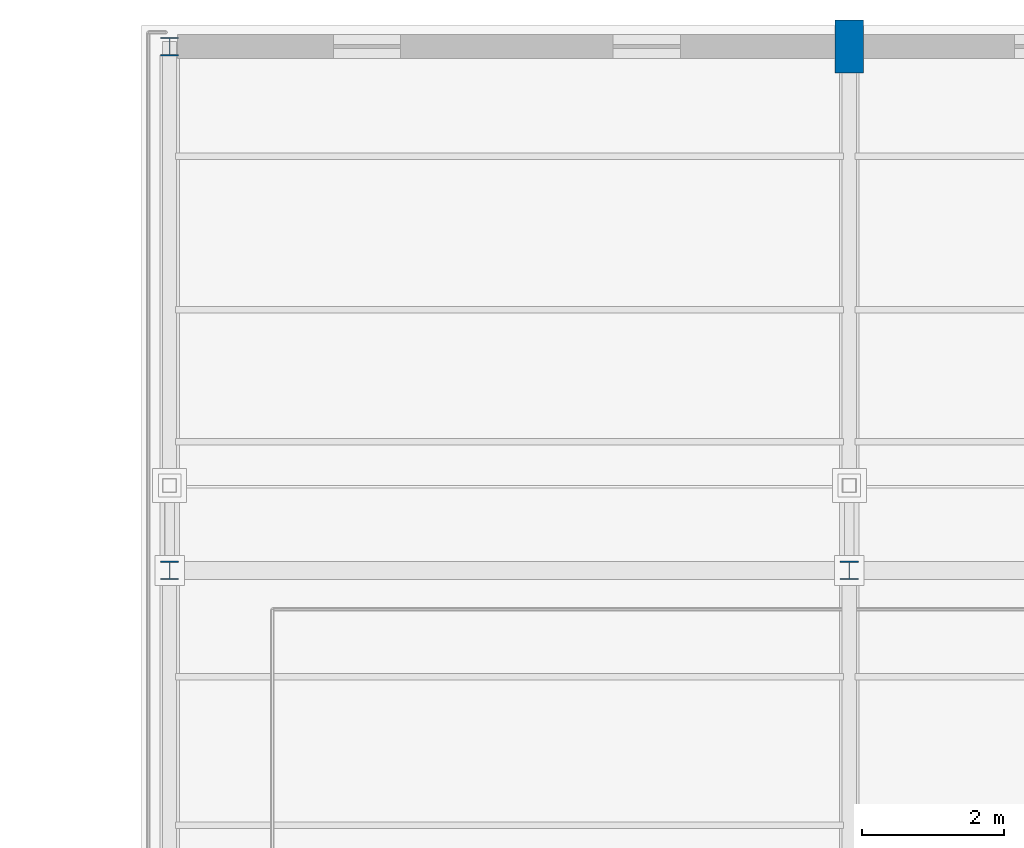
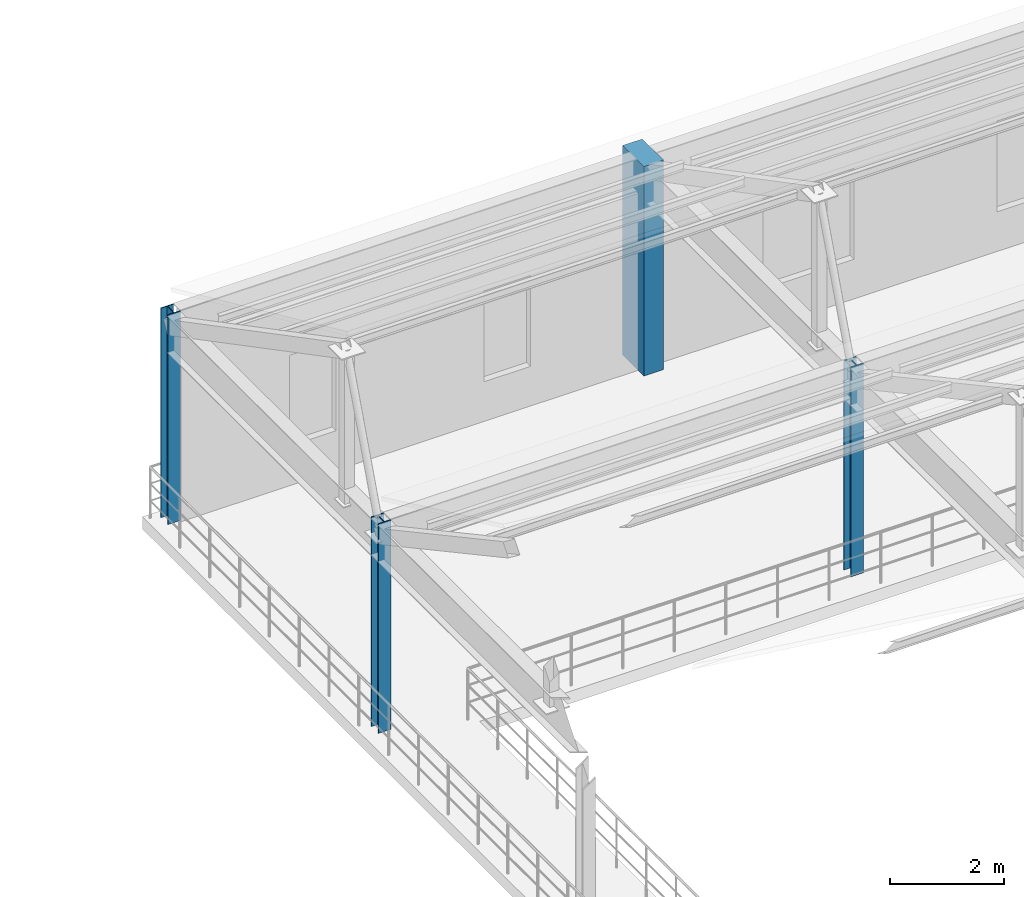
# One storey, part 16 of 112: 4 columns.
"""IFC4 building model written with IfcOpenShell, lengths in metres."""

import ifcopenshell
import ifcopenshell.guid

model = None  # the IFC model being written
_history = None  # IfcOwnerHistory: only IFC2X3 demands one
_inside = {}  # id of a spatial element -> (the spatial element, [elements in it])
_under = {}  # id of a project, library or spatial element -> (it, [spatial elements below it])
_declared = {}  # id of a project -> (the project, [libraries it declares])
_typed = {}  # id of a type object -> (the type object, [elements of that type])
_made_of = {}  # id of a material, layer set ... -> (it, [elements and type objects made of it])


def new_model(schema):
    """Start an empty IFC model of exactly this schema.

    Asked for "IFC4X3", IfcOpenShell would pick the latest addendum, in which some entities
    have other attributes; the version numbers below select the first issue.
    IFC2X3 requires an IfcOwnerHistory on every rooted entity: one is made here for all.
    """
    global model, _history
    if schema == "IFC4X3":
        model = ifcopenshell.file(schema_version=(4, 3, 0, 0))
    else:
        model = ifcopenshell.file(schema=schema)
    _inside.clear()
    _under.clear()
    _declared.clear()
    _typed.clear()
    _made_of.clear()
    _history = None
    if model.schema == "IFC2X3":
        org = make("IfcOrganization", Name="unknown")
        user = make(
            "IfcPersonAndOrganization",
            ThePerson=make("IfcPerson", FamilyName="unknown"),
            TheOrganization=org,
        )
        app = make(
            "IfcApplication",
            ApplicationDeveloper=org,
            Version="unknown",
            ApplicationFullName="unknown",
            ApplicationIdentifier="unknown",
        )
        _history = make(
            "IfcOwnerHistory",
            OwningUser=user,
            OwningApplication=app,
            ChangeAction="ADDED",
            CreationDate=0,
        )
    return model


def make(cls, **values):
    """One entity of the class cls with the attributes given. An attribute that is None is left unset."""
    return model.create_entity(
        cls, **{name: value for name, value in values.items() if value is not None}
    )


def rooted(cls, **values):
    """An entity with a GlobalId (a new one), such as an element, a storey or a relation."""
    return make(cls, GlobalId=ifcopenshell.guid.new(), OwnerHistory=_history, **values)


def si_unit(unit_type, name, prefix=None):
    """IfcSIUnit, for example si_unit("LENGTHUNIT", "METRE", prefix="MILLI")."""
    return make("IfcSIUnit", UnitType=unit_type, Prefix=prefix, Name=name)


def assignment(units):
    """IfcUnitAssignment: the units of a project."""
    return None if units is None else make("IfcUnitAssignment", Units=units)


def point(xyz):
    """IfcCartesianPoint."""
    return None if xyz is None else make("IfcCartesianPoint", Coordinates=xyz)


def direction(xyz):
    """IfcDirection."""
    return None if xyz is None else make("IfcDirection", DirectionRatios=xyz)


def frame(location, z_axis=None, x_axis=None):
    """IfcAxis2Placement3D, a coordinate frame: its origin and axes. An axis left out is left unset."""
    return make(
        "IfcAxis2Placement3D",
        Location=point(location),
        Axis=direction(z_axis),
        RefDirection=direction(x_axis),
    )


def frame_2d(location, x_axis=None):
    """IfcAxis2Placement2D, a coordinate frame in the plane: its origin and x axis."""
    return make(
        "IfcAxis2Placement2D", Location=point(location), RefDirection=direction(x_axis)
    )


def origin():
    """The frame at (0, 0, 0) with its axes left unset."""
    return frame((0.0, 0.0, 0.0))


def origin_2d():
    """The frame at (0, 0) in the plane with its x axis left unset."""
    return frame_2d((0.0, 0.0))


def place(relative_to, where):
    """IfcLocalPlacement: puts the frame where relative to a parent placement (None: the world)."""
    return make(
        "IfcLocalPlacement", PlacementRelTo=relative_to, RelativePlacement=where
    )


def context(
    kind, dimensions, precision=None, world=None, true_north=None, identifier=None
):
    """IfcGeometricRepresentationContext, for example the 3D "Model" context."""
    return make(
        "IfcGeometricRepresentationContext",
        ContextIdentifier=identifier,
        ContextType=kind,
        CoordinateSpaceDimension=dimensions,
        Precision=precision,
        WorldCoordinateSystem=world,
        TrueNorth=true_north,
    )


def subcontext(parent, identifier, kind, view, scale=None):
    """IfcGeometricRepresentationSubContext, for example "Body" below "Model"."""
    return make(
        "IfcGeometricRepresentationSubContext",
        ContextIdentifier=identifier,
        ContextType=kind,
        ParentContext=parent,
        TargetScale=scale,
        TargetView=view,
    )


def project(units=None, contexts=None):
    """IfcProject with its units and contexts."""
    return rooted(
        "IfcProject",
        Name="project",
        RepresentationContexts=contexts,
        UnitsInContext=assignment(units),
    )


def spatial(cls, under=None, at=None, **own):
    """A site, building, storey or space (cls), placed at a placement, below another one or the project."""
    s = rooted(cls, ObjectPlacement=at, **own)
    if under is not None:
        _under.setdefault(under.id(), (under, []))[1].append(s)
    return s


def profile(cls, at=None, kind="AREA", **sizes):
    """A parametric profile (cls). Its sizes go by their IFC names, for example OverallWidth=200.0."""
    return make(cls, ProfileType=kind, Position=at, **sizes)


def rectangle(**sizes):
    """IfcRectangleProfileDef."""
    return profile("IfcRectangleProfileDef", **sizes)


def i_section(**sizes):
    """IfcIShapeProfileDef."""
    return profile("IfcIShapeProfileDef", **sizes)


def extrude(swept, where, along, depth):
    """IfcExtrudedAreaSolid: the profile swept, set in the frame where, extruded along a direction by depth."""
    return make(
        "IfcExtrudedAreaSolid",
        SweptArea=swept,
        Position=where,
        ExtrudedDirection=direction(along),
        Depth=depth,
    )


def shape(context_of_items, identifier, shape_type, items):
    """IfcShapeRepresentation: the items that make up one representation, for example the "Body"."""
    return make(
        "IfcShapeRepresentation",
        ContextOfItems=context_of_items,
        RepresentationIdentifier=identifier,
        RepresentationType=shape_type,
        Items=items,
    )


def material(Name=None, Category=None):
    """IfcMaterial."""
    return make("IfcMaterial", Name=Name, Category=Category)


def material_profile(
    of_material, cross_section, Name=None, Category=None, Priority=None
):
    """IfcMaterialProfile: a cross section and its material."""
    return make(
        "IfcMaterialProfile",
        Name=Name,
        Material=of_material,
        Profile=cross_section,
        Priority=Priority,
        Category=Category,
    )


def profile_set(profiles, Name=None, composite=None):
    """IfcMaterialProfileSet."""
    return make(
        "IfcMaterialProfileSet",
        Name=Name,
        MaterialProfiles=profiles,
        CompositeProfile=composite,
    )


def made_of(thing, what):
    """Note that an element or type object is made of a material, layer set ...; save() writes the relation."""
    if what is not None:
        _made_of.setdefault(what.id(), (what, []))[1].append(thing)
    return thing


def type_object(cls, material=None, **own):
    """A type object (cls), such as IfcWallType, which elements share."""
    return made_of(rooted(cls, **own), material)


def element(
    cls,
    number,
    at=None,
    inside=None,
    cuts=None,
    type_object=None,
    material=None,
    context=None,
    identifier="Body",
    shape_type=None,
    held_by="IfcProductDefinitionShape",
    body=None,
    shapes=None,
    **own,
):
    """One element of the class cls, such as IfcWall. Its Tag is "e" and its number.

    at: its placement. inside: the storey or other place that contains it. cuts: it is an
    opening in that element (IfcRelVoidsElement). A single representation is given by context,
    identifier, shape_type and body (its items); several are given by shapes. held_by: the class
    of the entity that holds the representations. save() writes the other relations.
    """
    e = rooted(cls, Tag="e%d" % number, ObjectPlacement=at, **own)
    if body is not None:
        shapes = [shape(context, identifier, shape_type, body)]
    if shapes is not None:
        e.Representation = make(held_by, Representations=shapes)
    if inside is not None:
        _inside.setdefault(inside.id(), (inside, []))[1].append(e)
    if cuts is not None:
        rooted(
            "IfcRelVoidsElement", RelatingBuildingElement=cuts, RelatedOpeningElement=e
        )
    if type_object is not None:
        _typed.setdefault(type_object.id(), (type_object, []))[1].append(e)
    return made_of(e, material)


def aggregate(whole, parts):
    """IfcRelAggregates: a whole, such as a stair, and the parts it consists of."""
    return rooted("IfcRelAggregates", RelatingObject=whole, RelatedObjects=parts)


def save(model, path):
    """Write the relations noted so far, then the file.

    IfcRelAggregates (storeys below a building ...), IfcRelContainedInSpatialStructure (elements
    in a storey), IfcRelDefinesByType, IfcRelAssociatesMaterial and IfcRelDeclares: one each for
    every whole, place, type object, material and project.
    """
    for whole, parts in _under.values():
        aggregate(whole, parts)
    for where, things in _inside.values():
        rooted(
            "IfcRelContainedInSpatialStructure",
            RelatedElements=things,
            RelatingStructure=where,
        )
    for kind, things in _typed.values():
        rooted("IfcRelDefinesByType", RelatedObjects=things, RelatingType=kind)
    for what, things in _made_of.values():
        rooted("IfcRelAssociatesMaterial", RelatedObjects=things, RelatingMaterial=what)
    for by, libraries in _declared.values():
        rooted("IfcRelDeclares", RelatingContext=by, RelatedDefinitions=libraries)
    model.write(path)


model = new_model("IFC4")

# Units and contexts
model_context = context("Model", 3, precision=1e-05, world=origin(), true_north=direction((0.0, 1.0)))
body_context = subcontext(model_context, "Body", "Model", "MODEL_VIEW")
ifc_project = project(units=[si_unit("LENGTHUNIT", "METRE"), si_unit("AREAUNIT", "SQUARE_METRE"), si_unit("VOLUMEUNIT", "CUBIC_METRE"), si_unit("PLANEANGLEUNIT", "RADIAN"), si_unit("MASSUNIT", "GRAM", prefix="KILO")], contexts=[model_context])

# Site, building, storey
site_placement = place(None, origin())
site = spatial("IfcSite", under=ifc_project, at=site_placement, CompositionType="ELEMENT")
building_placement = place(site_placement, origin())
building = spatial("IfcBuilding", under=site, at=building_placement, Name="Cinderbank Siding Concert Hall", CompositionType="ELEMENT")
storey_placement = place(building_placement, frame((0.0, 0.0, 10.199951171875)))
storey = spatial("IfcBuildingStorey", under=building, at=storey_placement, Name="L03", CompositionType="ELEMENT", Elevation=10.199951171875)

# Columns
ifc_material_1 = material(Name="Structural steel AS/NZS 3679.1 Grade 350 (340 MPa)", Category="steel")
ifc_material_profile_1 = material_profile(ifc_material_1, i_section(OverallWidth=0.256103515625, OverallDepth=0.260009765625, WebThickness=0.010498046875, FlangeThickness=0.017333984375, at=origin_2d()), Name="250UC89.5", Category="LoadBearing")
ifc_profile_set_1 = profile_set([ifc_material_profile_1], Name="Structural steel AS/NZS 3679.1 Grade 350 (340 MPa)")
column_type_1 = type_object("IfcColumnType", Name="C-UC250H 250UC89.5", PredefinedType="COLUMN", material=ifc_profile_set_1)
for number, where, z_axis, x_axis, name in (
    (1, (118.39990234375, 110.5, 0.0), (0.0, 0.0, 1.0), (1.0, 0.0, 0.0), "L03 Column COL-V3-1-4"),
    (2, (118.39990234375, 117.89990234375, 0.0), (0.0, 0.0, 1.0), (1.0, 0.0, 0.0), "L03 Column COL-V3-1-5"),
    (3, (128.0, 110.5, 0.0), (0.0, 0.0, 1.0), (1.0, 0.0, 0.0), "L03 Column COL-V3-2-4"),
):
    element("IfcColumn", number, at=place(storey_placement, frame(where, z_axis=z_axis, x_axis=x_axis)), inside=storey, type_object=column_type_1, Name=name, PredefinedType="COLUMN", context=body_context, shape_type="SweptSolid", body=[
        extrude(i_section(OverallWidth=0.256103515625, OverallDepth=0.260009765625, WebThickness=0.010498046875, FlangeThickness=0.017333984375, at=origin_2d()), origin(), (0.0, 0.0, 1.0), 4.5),
    ])
ifc_material_2 = material(Name="Reinforced concrete AS 3600 N50 (50 MPa)", Category="concrete")
ifc_material_profile_2 = material_profile(ifc_material_2, rectangle(XDim=0.39990234375, YDim=0.75, at=origin_2d()), Name="RC-PIER-400x750", Category="LoadBearing")
ifc_profile_set_2 = profile_set([ifc_material_profile_2], Name="Reinforced concrete AS 3600 N50 (50 MPa)")
column_type_2 = type_object("IfcColumnType", Name="PL-RC750 RC-PIER-400x750", PredefinedType="PILASTER", material=ifc_profile_set_2)
column_placement = place(storey_placement, frame((128.0, 117.89990234375, 0.0), z_axis=(0.0, 0.0, 1.0), x_axis=(1.0, 0.0, 0.0)))
element("IfcColumn", 4, at=column_placement, inside=storey, type_object=column_type_2, Name="L03 Column COL-V3-2-5", PredefinedType="PILASTER", context=body_context, shape_type="SweptSolid", body=[
    extrude(rectangle(XDim=0.39990234375, YDim=0.75, at=origin_2d()), origin(), (0.0, 0.0, 1.0), 4.5),
])

save(model, "model.ifc")
